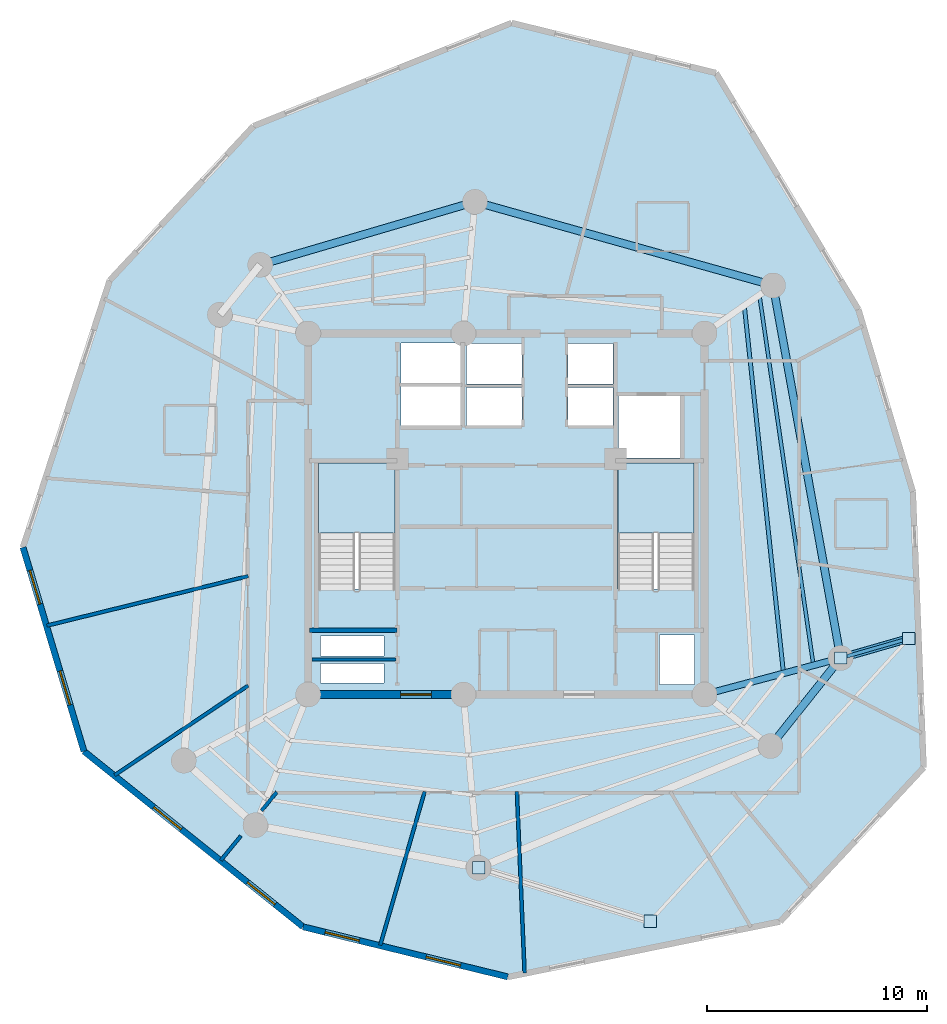
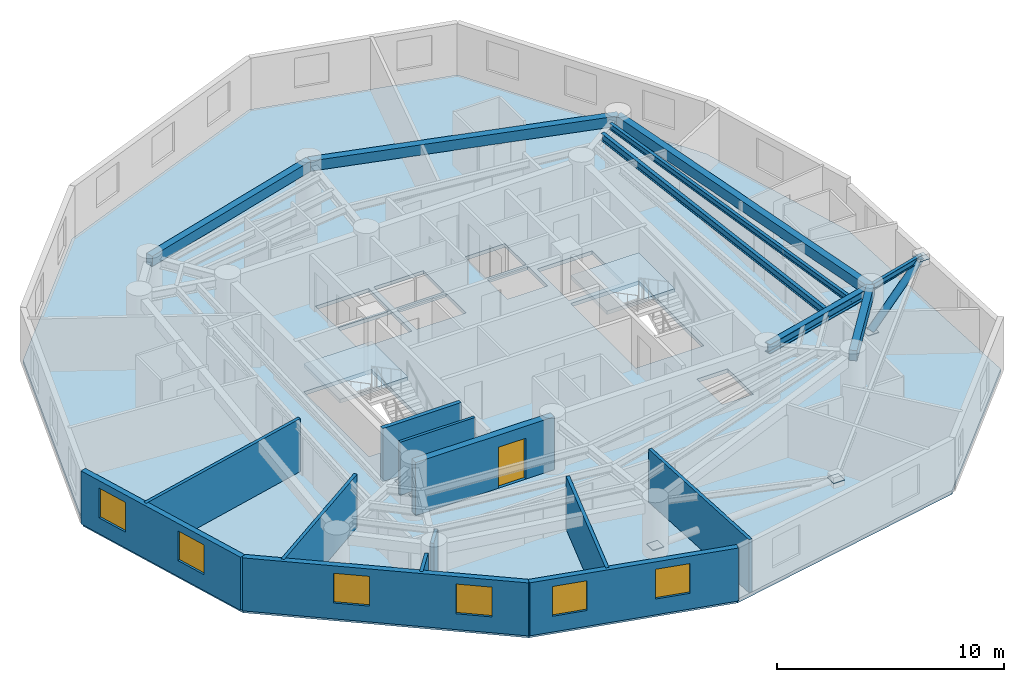
# One storey, part 2 of 7: 12 walls, 8 beams, 6 windows, 4 plates, 3 slabs, 1 door, 1 member, 7 openings, 2 elements without a shape of their own.
"""IFC4 building model written with IfcOpenShell, lengths in metres."""

from ifc_helpers import new_model, si_unit, direction, frame, frame_2d, origin, origin_with_axes, origin_2d, place, context, subcontext, project, spatial, polyline, rectangle, hollow_circle, i_section, outline, extrude, source, transform, mapped, material, layer, layer_set, material_profile, profile_set, type_object, element, fill, aggregate, save


model = new_model("IFC4")

# Units and contexts
model_context = context("Model", 3, precision=1e-05, world=origin(), true_north=direction((0.0, 1.0)))
body_context = subcontext(model_context, "Body", "Model", "MODEL_VIEW")
ifc_project = project(units=[si_unit("LENGTHUNIT", "METRE"), si_unit("AREAUNIT", "SQUARE_METRE"), si_unit("VOLUMEUNIT", "CUBIC_METRE"), si_unit("PLANEANGLEUNIT", "RADIAN"), si_unit("MASSUNIT", "GRAM", prefix="KILO")], contexts=[model_context])

# Site, building, storey
site_placement = place(None, origin())
site = spatial("IfcSite", under=ifc_project, at=site_placement, CompositionType="ELEMENT")
building_placement = place(site_placement, origin())
building = spatial("IfcBuilding", under=site, at=building_placement, Name="Karkom Vertical University and Central Library", CompositionType="ELEMENT")
storey_placement = place(building_placement, frame((0.0, 0.0, 229.10009765625)))
storey = spatial("IfcBuildingStorey", under=building, at=storey_placement, Name="L67", CompositionType="ELEMENT", Elevation=229.10009765625)

# Beams
ifc_material_1 = material(Name="Precast concrete C45/55", Category="concrete")
ifc_material_profile_1 = material_profile(ifc_material_1, rectangle(XDim=0.35009765625, YDim=0.550048828125, at=origin_2d()), Name="SPB-350x550")
ifc_profile_set_1 = profile_set([ifc_material_profile_1], Name="Precast concrete C45/55")
beam_type_1 = type_object("IfcBeamType", Name="STR-BM-SP-2", PredefinedType="SPANDREL", material=ifc_profile_set_1)
shared_shape_1 = source(origin_with_axes(), body_context, "Body", "SweptSolid", [
    extrude(rectangle(XDim=0.35009765625, YDim=0.550048828125, at=origin_2d()), origin(), (0.0, 0.0, 1.0), 17.19970703125),
])
beam_1_placement = place(storey_placement, frame((43.681884765625, 19.9560546875, 2.574951171875), z_axis=(-0.178423249727, 0.983953832228, 0.0), x_axis=(-0.983953832228, -0.178423249727, 0.0)))
element("IfcBeam", 1, at=beam_1_placement, inside=storey, type_object=beam_type_1, Name="Level 67 Perimeter Spandrel Beam 01", PredefinedType="SPANDREL", context=body_context, shape_type="MappedRepresentation", body=[
    mapped(shared_shape_1, transform((0.0, 0.0, 0.0), scale=1.0)),
])
shared_shape_2 = source(origin_with_axes(), body_context, "Body", "SweptSolid", [
    extrude(rectangle(XDim=0.35009765625, YDim=0.550048828125, at=origin_2d()), origin(), (0.0, 0.0, 1.0), 14.0625),
])
beam_2_placement = place(storey_placement, frame((40.613037109375, 36.8798828125, 2.574951171875), z_axis=(-0.962854853531, 0.270019501207, 0.0), x_axis=(-0.270019501207, -0.962854853531, 0.0)))
element("IfcBeam", 2, at=beam_2_placement, inside=storey, type_object=beam_type_1, Name="Level 67 Perimeter Spandrel Beam 02", PredefinedType="SPANDREL", context=body_context, shape_type="MappedRepresentation", body=[
    mapped(shared_shape_2, transform((0.0, 0.0, 0.0), scale=1.0)),
])
shared_shape_3 = source(origin_with_axes(), body_context, "Body", "SweptSolid", [
    extrude(rectangle(XDim=0.35009765625, YDim=0.550048828125, at=origin_2d()), origin(), (0.0, 0.0, 1.0), 10.164794921875),
])
beam_3_placement = place(storey_placement, frame((27.072998046875, 40.677001953125, 2.574951171875), z_axis=(-0.959485124536, -0.281759286971, 0.0), x_axis=(0.281759286971, -0.959485124536, 0.0)))
element("IfcBeam", 3, at=beam_3_placement, inside=storey, type_object=beam_type_1, Name="Level 67 Perimeter Spandrel Beam 03", PredefinedType="SPANDREL", context=body_context, shape_type="MappedRepresentation", body=[
    mapped(shared_shape_3, transform((0.0, 0.0, 0.0), scale=1.0)),
])
shared_shape_4 = source(origin_with_axes(), body_context, "Body", "SweptSolid", [
    extrude(rectangle(XDim=0.35009765625, YDim=0.550048828125, at=origin_2d()), origin(), (0.0, 0.0, 1.0), 5.112060546875),
])
beam_4_placement = place(storey_placement, frame((40.493896484375, 15.9599609375, 2.574951171875), z_axis=(0.623634459503, 0.78171609995, 0.0), x_axis=(-0.78171609995, 0.623634459503, 0.0)))
element("IfcBeam", 4, at=beam_4_placement, inside=storey, type_object=beam_type_1, Name="Level 67 Perimeter Spandrel Beam 09", PredefinedType="SPANDREL", context=body_context, shape_type="MappedRepresentation", body=[
    mapped(shared_shape_4, transform((0.0, 0.0, 0.0), scale=1.0)),
])
ifc_material_2 = material(Name="Steel S355", Category="steel")
ifc_material_profile_2 = material_profile(ifc_material_2, i_section(OverallWidth=0.179931640625, OverallDepth=0.39990234375, WebThickness=0.008544921875, FlangeThickness=0.013427734375, FilletRadius=0.02099609375, at=origin_2d()), Name="IPE 400")
ifc_profile_set_2 = profile_set([ifc_material_profile_2], Name="Steel S355")
beam_type_2 = type_object("IfcBeamType", Name="STR-BM-SB-IPE400", PredefinedType="BEAM", material=ifc_profile_set_2)
shared_shape_5 = source(origin_with_axes(), body_context, "Body", "SweptSolid", [
    extrude(i_section(OverallWidth=0.179931640625, OverallDepth=0.39990234375, WebThickness=0.008544921875, FlangeThickness=0.013427734375, FilletRadius=0.02099609375, at=origin_2d()), origin(), (0.0, 0.0, 1.0), 16.79833984375),
])
beam_5_placement = place(storey_placement, frame((41.085693359375, 19.260498046875, 2.64990234375), z_axis=(-0.105978377704, 0.994368434464, 0.0), x_axis=(-0.994368434464, -0.105978377704, 0.0)))
element("IfcBeam", 5, at=beam_5_placement, inside=storey, type_object=beam_type_2, Name="Level 67 Secondary Composite Floor Beam 2.01", PredefinedType="BEAM", context=body_context, shape_type="MappedRepresentation", body=[
    mapped(shared_shape_5, transform((0.0, 0.0, 0.0), scale=1.0)),
])
ifc_material_profile_3 = material_profile(ifc_material_2, i_section(OverallWidth=0.159912109375, OverallDepth=0.330078125, WebThickness=0.007568359375, FlangeThickness=0.011474609375, FilletRadius=0.01806640625, at=origin_2d()), Name="IPE 330")
ifc_profile_set_3 = profile_set([ifc_material_profile_3], Name="Steel S355")
beam_type_3 = type_object("IfcBeamType", Name="STR-BM-SB-IPE330", PredefinedType="BEAM", material=ifc_profile_set_3)
shared_shape_6 = source(origin_with_axes(), body_context, "Body", "SweptSolid", [
    extrude(i_section(OverallWidth=0.159912109375, OverallDepth=0.330078125, WebThickness=0.007568359375, FlangeThickness=0.011474609375, FilletRadius=0.01806640625, at=origin_2d()), origin(), (0.0, 0.0, 1.0), 16.99755859375),
])
beam_6_placement = place(storey_placement, frame((42.445556640625, 19.624755859375, 2.684814453125), z_axis=(-0.144436985275, 0.98951400055, 0.0), x_axis=(-0.98951400055, -0.144436985275, 0.0)))
element("IfcBeam", 6, at=beam_6_placement, inside=storey, type_object=beam_type_3, Name="Level 67 Secondary Composite Floor Beam 3.01", PredefinedType="BEAM", context=body_context, shape_type="MappedRepresentation", body=[
    mapped(shared_shape_6, transform((0.0, 0.0, 0.0), scale=1.0)),
])
ifc_material_profile_4 = material_profile(ifc_material_2, i_section(OverallWidth=0.300048828125, OverallDepth=0.5, WebThickness=0.014404296875, FlangeThickness=0.028076171875, FilletRadius=0.027099609375, at=origin_2d()), Name="HE 500 B")
ifc_profile_set_4 = profile_set([ifc_material_profile_4], Name="Steel S355")
beam_type_4 = type_object("IfcBeamType", Name="STR-BM-SB-HE500", PredefinedType="USERDEFINED", material=ifc_profile_set_4)
shared_shape_7 = source(origin_with_axes(), body_context, "Body", "SweptSolid", [
    extrude(i_section(OverallWidth=0.300048828125, OverallDepth=0.5, WebThickness=0.014404296875, FlangeThickness=0.028076171875, FilletRadius=0.027099609375, at=origin_2d()), origin(), (0.0, 0.0, 1.0), 6.39990234375),
])
beam_7_placement = place(storey_placement, frame((37.5, 18.300048828125, 2.599853515625), z_axis=(0.965942432948, 0.258757060254, 0.0), x_axis=(-0.258757060254, 0.965942432948, 0.0)))
element("IfcBeam", 7, at=beam_7_placement, inside=storey, type_object=beam_type_4, Name="Level 67 Radial Frame Girder 01", ObjectType="GIRDER", PredefinedType="USERDEFINED", context=body_context, shape_type="MappedRepresentation", body=[
    mapped(shared_shape_7, transform((0.0, 0.0, 0.0), scale=1.0)),
])
shared_shape_8 = source(origin_with_axes(), body_context, "Body", "SweptSolid", [
    extrude(i_section(OverallWidth=0.159912109375, OverallDepth=0.330078125, WebThickness=0.007568359375, FlangeThickness=0.011474609375, FilletRadius=0.01806640625, at=origin_2d()), origin(), (0.0, 0.0, 1.0), 3.215576171875),
])
beam_8_placement = place(storey_placement, frame((43.681884765625, 19.9560546875, 2.684814453125), z_axis=(0.960919963505, 0.276826342204, 0.0), x_axis=(-0.276826342204, 0.960919963505, 0.0)))
element("IfcBeam", 8, at=beam_8_placement, inside=storey, type_object=beam_type_3, Name="Level 67 Sky Garden Outrigger Support Beam 2", PredefinedType="BEAM", context=body_context, shape_type="MappedRepresentation", body=[
    mapped(shared_shape_8, transform((0.0, 0.0, 0.0), scale=1.0)),
])

# Member
ifc_material_profile_5 = material_profile(ifc_material_2, hollow_circle(Radius=0.177734375, WallThickness=0.01611328125, at=origin_2d()), Name="CHS 355.6x16")
ifc_profile_set_5 = profile_set([ifc_material_profile_5], Name="Steel S355")
member_type = type_object("IfcMemberType", Name="STR-MEM-BR-3", PredefinedType="BRACE", material=ifc_profile_set_5)
shared_shape_9 = source(origin_with_axes(), body_context, "Body", "SweptSolid", [
    extrude(hollow_circle(Radius=0.177734375, WallThickness=0.01611328125, at=origin_2d()), origin(), (0.0, 0.0, 1.0), 3.973876953125),
])
member_placement = place(storey_placement, frame((43.681884765625, 19.9560546875, 0.349853515625), z_axis=(0.777543232817, 0.223998311224, 0.587580869047), x_axis=(-0.276826342204, 0.960919963505, 0.0)))
element("IfcMember", 9, at=member_placement, inside=storey, type_object=member_type, Name="Level 67 Sky Garden Knee Strut Brace 2", PredefinedType="BRACE", context=body_context, shape_type="MappedRepresentation", body=[
    mapped(shared_shape_9, transform((0.0, 0.0, 0.0), scale=1.0)),
])

# Stair, slab
ifc_material_3 = material(Name="Concrete C45/55", Category="concrete")
stair_type = type_object("IfcStairType", Name="INT-STR-ST-MAIN", PredefinedType="HALF_TURN_STAIR", material=ifc_material_3)
stair_1_placement = place(storey_placement, origin())
stair_1 = element("IfcStair", 10, at=stair_1_placement, inside=storey, type_object=stair_type, Name="Level 67 Tower Protected Exit Stair ST-1", PredefinedType="HALF_TURN_STAIR")
ifc_layer_1 = layer(ifc_material_3, 0.199951171875)
ifc_layer_set_1 = layer_set([ifc_layer_1], Name="Concrete C45/55")
slab_type_1 = type_object("IfcSlabType", Name="INT-SLB-LANDING", PredefinedType="LANDING", material=ifc_layer_set_1)
slab_1_placement = place(storey_placement, frame((0.0, 0.0, 1.324951171875)))
slab_1 = element("IfcSlab", 11, at=slab_1_placement, type_object=slab_type_1, Name="ST-1 landing 1", PredefinedType="LANDING", context=body_context, shape_type="SweptSolid", body=[
    extrude(outline(polyline([(23.43994140625, 25.6298828125), (23.43994140625, 28.820068359375), (19.97998046875, 28.820068359375), (19.97998046875, 25.6298828125), (23.43994140625, 25.6298828125)])), origin(), (0.0, 0.0, 1.0), 0.199951171875),
])
aggregate(stair_1, [slab_1])

stair_2_placement = place(storey_placement, origin())
stair_2 = element("IfcStair", 12, at=stair_2_placement, inside=storey, type_object=stair_type, Name="Level 67 Tower Protected Exit Stair ST-2", PredefinedType="HALF_TURN_STAIR")
slab_2_placement = place(storey_placement, frame((0.0, 0.0, 1.324951171875)))
slab_2 = element("IfcSlab", 13, at=slab_2_placement, type_object=slab_type_1, Name="ST-2 landing 1", PredefinedType="LANDING", context=body_context, shape_type="SweptSolid", body=[
    extrude(outline(polyline([(37.02001953125, 25.6298828125), (37.02001953125, 28.820068359375), (33.56005859375, 28.820068359375), (33.56005859375, 25.6298828125), (37.02001953125, 25.6298828125)])), origin(), (0.0, 0.0, 1.0), 0.199951171875),
])
aggregate(stair_2, [slab_2])

# Slab
ifc_material_4 = material(Name="Concrete C40/50", Category="concrete")
ifc_layer_2 = layer(ifc_material_4, 0.199951171875)
ifc_layer_set_2 = layer_set([ifc_layer_2], Name="Concrete C40/50")
slab_type_2 = type_object("IfcSlabType", Name="STR-SLB-FLR-200", PredefinedType="FLOOR", material=ifc_layer_set_2)
slab_3_placement = place(storey_placement, frame((0.0, 0.0, -0.2001953125)))
element("IfcSlab", 14, at=slab_3_placement, inside=storey, type_object=slab_type_2, Name="Level 67 Tower Structural Floor Slab", PredefinedType="FLOOR", context=body_context, shape_type="SweptSolid", body=[
    extrude(outline(polyline([(6.54736328125, 24.98291015625), (9.31494140625, 15.72216796875), (19.26416015625, 7.74853515625), (28.56591796875, 5.473876953125), (40.933349609375, 7.990478515625), (47.447509765625, 14.981201171875), (46.958251953125, 27.51318359375), (44.487060546875, 35.781494140625), (38.019287109375, 46.52685546875), (28.7373046875, 48.796630859375), (17.017578125, 44.114013671875), (10.4892578125, 37.108154296875), (6.54736328125, 24.98291015625)]), holes=[polyline([(19.97998046875, 23.0849609375), (23.43994140625, 23.0849609375), (23.43994140625, 28.820068359375), (19.97998046875, 28.820068359375), (19.97998046875, 23.0849609375)]), polyline([(33.56005859375, 23.0849609375), (37.02001953125, 23.0849609375), (37.02001953125, 28.820068359375), (33.56005859375, 28.820068359375), (33.56005859375, 23.0849609375)]), polyline([(26.679931640625, 30.5), (29.199951171875, 30.5), (29.199951171875, 32.25), (26.679931640625, 32.25), (26.679931640625, 30.5)]), polyline([(26.679931640625, 32.39990234375), (29.199951171875, 32.39990234375), (29.199951171875, 34.25), (26.679931640625, 34.25), (26.679931640625, 32.39990234375)]), polyline([(31.300048828125, 30.5), (33.35009765625, 30.5), (33.35009765625, 32.25), (31.300048828125, 32.25), (31.300048828125, 30.5)]), polyline([(31.300048828125, 32.39990234375), (33.35009765625, 32.39990234375), (33.35009765625, 34.25), (31.300048828125, 34.25), (31.300048828125, 32.39990234375)]), polyline([(23.719970703125, 30.47998046875), (26.429931640625, 30.47998046875), (26.429931640625, 32.320068359375), (23.719970703125, 32.320068359375), (23.719970703125, 30.47998046875)]), polyline([(23.719970703125, 32.419921875), (26.429931640625, 32.419921875), (26.429931640625, 34.260009765625), (23.719970703125, 34.260009765625), (23.719970703125, 32.419921875)]), polyline([(33.60009765625, 29.050048828125), (36.39990234375, 29.050048828125), (36.39990234375, 31.85009765625), (33.60009765625, 31.85009765625), (33.60009765625, 29.050048828125)]), polyline([(20.050048828125, 18.820068359375), (22.949951171875, 18.820068359375), (22.949951171875, 19.719970703125), (20.050048828125, 19.719970703125), (20.050048828125, 18.820068359375)]), polyline([(20.050048828125, 20.06005859375), (22.949951171875, 20.06005859375), (22.949951171875, 20.9599609375), (20.050048828125, 20.9599609375), (20.050048828125, 20.06005859375)]), polyline([(35.4599609375, 18.760009765625), (37.0400390625, 18.760009765625), (37.0400390625, 21.010009765625), (35.4599609375, 21.010009765625), (35.4599609375, 18.760009765625)])]), origin(), (0.0, 0.0, 1.0), 0.2001953125),
])

# Plates
ifc_layer_3 = layer(ifc_material_2, 0.028076171875)
ifc_layer_set_3 = layer_set([ifc_layer_3], Name="Steel S355")
plate_type = type_object("IfcPlateType", Name="STR-PLT-GP-2", PredefinedType="USERDEFINED", material=ifc_layer_set_3)
shared_shape_10 = source(origin_with_axes(), body_context, "Body", "SweptSolid", [
    extrude(rectangle(XDim=0.56005859375, YDim=0.56005859375, at=origin_2d()), origin(), (0.0, 0.0, 1.0), 0.028076171875),
])
for number, where, z_axis, x_axis, name in (
    (15, (27.239013671875, 10.429931640625, 0.3359375), (0.0, 0.0, 1.0), (1.0, 0.0, 0.0), "Level 67 Node Gusset Cap Plate L67-SKG-KNEE-1 A"),
    (16, (35.031005859375, 8.007080078125, 2.6708984375), (0.0, 0.0, 1.0), (1.0, 0.0, 0.0), "Level 67 Node Gusset Cap Plate L67-SKG-KNEE-1 B"),
    (17, (43.681884765625, 19.9560546875, 0.3359375), (0.0, 0.0, 1.0), (1.0, 0.0, 0.0), "Level 67 Node Gusset Cap Plate L67-SKG-KNEE-2 A"),
    (18, (46.771728515625, 20.84619140625, 2.6708984375), (0.0, 0.0, 1.0), (1.0, 0.0, 0.0), "Level 67 Node Gusset Cap Plate L67-SKG-KNEE-2 B"),
):
    element("IfcPlate", number, at=place(storey_placement, frame(where, z_axis=z_axis, x_axis=x_axis)), inside=storey, type_object=plate_type, Name=name, ObjectType="GUSSET PLATE", PredefinedType="USERDEFINED", context=body_context, shape_type="MappedRepresentation", body=[
        mapped(shared_shape_10, transform((0.0, 0.0, 0.0), scale=1.0)),
    ])

# Wall, openings, windows
ifc_material_5 = material(Name="Brick-faced precast concrete C45/55", Category="masonry")
ifc_layer_4 = layer(ifc_material_5, 0.280029296875)
ifc_layer_set_4 = layer_set([ifc_layer_4], Name="Brick-faced precast concrete C45/55")
wall_type_1 = type_object("IfcWallType", Name="ENV-WL-BRK-280", PredefinedType="SOLIDWALL", material=ifc_layer_set_4)
wall_1_placement = place(storey_placement, frame((6.54736328125, 24.98291015625, 0.0), z_axis=(0.0, 0.0, 1.0), x_axis=(0.286337360981, -0.958128861744, 0.0)))
wall_1 = element("IfcWall", 19, at=wall_1_placement, inside=storey, type_object=wall_type_1, Name="Level 67 Brick-Faced Precast Facade Wall 01", PredefinedType="SOLIDWALL", context=body_context, shape_type="SweptSolid", body=[
    extrude(rectangle(XDim=9.66552734375, YDim=0.280029296875, at=frame_2d((4.832763671875, 0.0))), origin(), (0.0, 0.0, 1.0), 2.849853515625),
])
opening_1_placement = place(wall_1_placement, frame((1.088623046875, 0.0, 0.85009765625)))
opening_1 = element("IfcOpeningElement", 20, at=opening_1_placement, cuts=wall_1, Name="Opening WN-10", PredefinedType="OPENING", context=body_context, shape_type="SweptSolid", body=[
    extrude(rectangle(XDim=1.60009765625, YDim=1.60009765625, at=frame_2d((0.800048828125, 0.800048828125))), frame((0.0, 0.14990234375, 0.0), z_axis=(0.0, -1.0, 0.0), x_axis=(1.0, 0.0, 0.0)), (0.0, 0.0, 1.0), 0.300048828125),
])
opening_2_placement = place(wall_1_placement, frame((5.861328125, 0.0, 0.85009765625)))
opening_2 = element("IfcOpeningElement", 21, at=opening_2_placement, cuts=wall_1, Name="Opening WN-10", PredefinedType="OPENING", context=body_context, shape_type="SweptSolid", body=[
    extrude(rectangle(XDim=1.60009765625, YDim=1.60009765625, at=frame_2d((0.800048828125, 0.800048828125))), frame((0.0, 0.14990234375, 0.0), z_axis=(0.0, -1.0, 0.0), x_axis=(1.0, 0.0, 0.0)), (0.0, 0.0, 1.0), 0.300048828125),
])
ifc_material_6 = material(Name="Aluminium thermal-break frame with solar-control IGU", Category="aluminium")
window_type = type_object("IfcWindowType", Name="ENV-WIN-WN-10", PartitioningType="SINGLE_PANEL", PredefinedType="WINDOW", material=ifc_material_6)
shared_shape_11 = source(origin_with_axes(), body_context, "Body", "SweptSolid", [
    extrude(rectangle(XDim=1.60009765625, YDim=1.60009765625, at=frame_2d((0.800048828125, 0.800048828125))), frame((0.0, 0.030029296875, 0.0), z_axis=(0.0, -1.0, 0.0), x_axis=(1.0, 0.0, 0.0)), (0.0, 0.0, 1.0), 0.06005859375),
])
window_1_placement = place(opening_1_placement, origin())
window_1 = element("IfcWindow", 22, at=window_1_placement, inside=storey, type_object=window_type, Name="Level 67 Punched Window 1.1", OverallHeight=1.60009765625, OverallWidth=1.60009765625, PartitioningType="SINGLE_PANEL", PredefinedType="WINDOW", context=body_context, shape_type="MappedRepresentation", body=[
    mapped(shared_shape_11, transform((0.0, 0.0, 0.0), scale=1.0)),
])
fill(opening_1, window_1)
window_2_placement = place(opening_2_placement, origin())
window_2 = element("IfcWindow", 23, at=window_2_placement, inside=storey, type_object=window_type, Name="Level 67 Punched Window 1.2", OverallHeight=1.60009765625, OverallWidth=1.60009765625, PartitioningType="SINGLE_PANEL", PredefinedType="WINDOW", context=body_context, shape_type="MappedRepresentation", body=[
    mapped(shared_shape_11, transform((0.0, 0.0, 0.0), scale=1.0)),
])
fill(opening_2, window_2)

wall_2_placement = place(storey_placement, frame((9.31494140625, 15.72216796875, 0.0), z_axis=(0.0, 0.0, 1.0), x_axis=(0.780323024647, -0.625376668261, 0.0)))
wall_2 = element("IfcWall", 24, at=wall_2_placement, inside=storey, type_object=wall_type_1, Name="Level 67 Brick-Faced Precast Facade Wall 02", PredefinedType="SOLIDWALL", context=body_context, shape_type="SweptSolid", body=[
    extrude(rectangle(XDim=12.750244140625, YDim=0.280029296875, at=frame_2d((6.375, 0.0))), origin(), (0.0, 0.0, 1.0), 2.849853515625),
])
opening_3_placement = place(wall_2_placement, frame((4.06396484375, 0.0, 0.85009765625)))
opening_3 = element("IfcOpeningElement", 25, at=opening_3_placement, cuts=wall_2, Name="Opening WN-10", PredefinedType="OPENING", context=body_context, shape_type="SweptSolid", body=[
    extrude(rectangle(XDim=1.60009765625, YDim=1.60009765625, at=frame_2d((0.800048828125, 0.800048828125))), frame((0.0, 0.14990234375, 0.0), z_axis=(0.0, -1.0, 0.0), x_axis=(1.0, 0.0, 0.0)), (0.0, 0.0, 1.0), 0.300048828125),
])
opening_4_placement = place(wall_2_placement, frame((9.519775390625, 0.0, 0.85009765625)))
opening_4 = element("IfcOpeningElement", 26, at=opening_4_placement, cuts=wall_2, Name="Opening WN-10", PredefinedType="OPENING", context=body_context, shape_type="SweptSolid", body=[
    extrude(rectangle(XDim=1.60009765625, YDim=1.60009765625, at=frame_2d((0.800048828125, 0.800048828125))), frame((0.0, 0.14990234375, 0.0), z_axis=(0.0, -1.0, 0.0), x_axis=(1.0, 0.0, 0.0)), (0.0, 0.0, 1.0), 0.300048828125),
])
window_3_placement = place(opening_3_placement, origin())
window_3 = element("IfcWindow", 27, at=window_3_placement, inside=storey, type_object=window_type, Name="Level 67 Punched Window 2.1", OverallHeight=1.60009765625, OverallWidth=1.60009765625, PartitioningType="SINGLE_PANEL", PredefinedType="WINDOW", context=body_context, shape_type="MappedRepresentation", body=[
    mapped(shared_shape_11, transform((0.0, 0.0, 0.0), scale=1.0)),
])
fill(opening_3, window_3)
window_4_placement = place(opening_4_placement, origin())
window_4 = element("IfcWindow", 28, at=window_4_placement, inside=storey, type_object=window_type, Name="Level 67 Punched Window 2.2", OverallHeight=1.60009765625, OverallWidth=1.60009765625, PartitioningType="SINGLE_PANEL", PredefinedType="WINDOW", context=body_context, shape_type="MappedRepresentation", body=[
    mapped(shared_shape_11, transform((0.0, 0.0, 0.0), scale=1.0)),
])
fill(opening_4, window_4)

wall_3_placement = place(storey_placement, frame((19.26416015625, 7.74853515625, 0.0), z_axis=(0.0, 0.0, 1.0), x_axis=(0.971377439453, -0.237541301926, 0.0)))
wall_3 = element("IfcWall", 29, at=wall_3_placement, inside=storey, type_object=wall_type_1, Name="Level 67 Brick-Faced Precast Facade Wall 03", PredefinedType="SOLIDWALL", context=body_context, shape_type="SweptSolid", body=[
    extrude(rectangle(XDim=9.575927734375, YDim=0.280029296875, at=frame_2d((4.7880859375, 0.0))), origin(), (0.0, 0.0, 1.0), 2.849853515625),
])
opening_5_placement = place(wall_3_placement, frame((1.033447265625, 0.0, 0.85009765625)))
opening_5 = element("IfcOpeningElement", 30, at=opening_5_placement, cuts=wall_3, Name="Opening WN-10", PredefinedType="OPENING", context=body_context, shape_type="SweptSolid", body=[
    extrude(rectangle(XDim=1.60009765625, YDim=1.60009765625, at=frame_2d((0.800048828125, 0.800048828125))), frame((0.0, 0.14990234375, 0.0), z_axis=(0.0, -1.0, 0.0), x_axis=(1.0, 0.0, 0.0)), (0.0, 0.0, 1.0), 0.300048828125),
])
opening_6_placement = place(wall_3_placement, frame((5.761474609375, 0.0, 0.85009765625)))
opening_6 = element("IfcOpeningElement", 31, at=opening_6_placement, cuts=wall_3, Name="Opening WN-10", PredefinedType="OPENING", context=body_context, shape_type="SweptSolid", body=[
    extrude(rectangle(XDim=1.60009765625, YDim=1.60009765625, at=frame_2d((0.800048828125, 0.800048828125))), frame((0.0, 0.14990234375, 0.0), z_axis=(0.0, -1.0, 0.0), x_axis=(1.0, 0.0, 0.0)), (0.0, 0.0, 1.0), 0.300048828125),
])
window_5_placement = place(opening_5_placement, origin())
window_5 = element("IfcWindow", 32, at=window_5_placement, inside=storey, type_object=window_type, Name="Level 67 Punched Window 3.1", OverallHeight=1.60009765625, OverallWidth=1.60009765625, PartitioningType="SINGLE_PANEL", PredefinedType="WINDOW", context=body_context, shape_type="MappedRepresentation", body=[
    mapped(shared_shape_11, transform((0.0, 0.0, 0.0), scale=1.0)),
])
fill(opening_5, window_5)
window_6_placement = place(opening_6_placement, origin())
window_6 = element("IfcWindow", 33, at=window_6_placement, inside=storey, type_object=window_type, Name="Level 67 Punched Window 3.2", OverallHeight=1.60009765625, OverallWidth=1.60009765625, PartitioningType="SINGLE_PANEL", PredefinedType="WINDOW", context=body_context, shape_type="MappedRepresentation", body=[
    mapped(shared_shape_11, transform((0.0, 0.0, 0.0), scale=1.0)),
])
fill(opening_6, window_6)

# Walls
ifc_material_7 = material(Name="Insulated metal-stud drywall 160mm", Category="gypsum")
ifc_layer_5 = layer(ifc_material_7, 0.159912109375)
ifc_layer_set_5 = layer_set([ifc_layer_5], Name="Insulated metal-stud drywall 160mm")
wall_type_2 = type_object("IfcWallType", Name="INT-WL-COR-160", PredefinedType="PARTITIONING", material=ifc_layer_set_5)
wall_4_placement = place(storey_placement, frame((16.779052734375, 23.678955078125, 0.0), z_axis=(0.0, 0.0, 1.0), x_axis=(-0.971058189076, -0.238843030939, 0.0)))
element("IfcWall", 34, at=wall_4_placement, inside=storey, type_object=wall_type_2, Name="Level 67 Interior Partition Wall L67-PW-001", PredefinedType="PARTITIONING", context=body_context, shape_type="SweptSolid", body=[
    extrude(rectangle(XDim=9.416259765625, YDim=0.159912109375, at=frame_2d((4.7080078125, 0.0))), origin(), (0.0, 0.0, 1.0), 2.849853515625),
])
wall_5_placement = place(storey_placement, frame((28.97705078125, 13.89501953125, 0.0), z_axis=(0.0, 0.0, 1.0), x_axis=(0.042568785429, -0.999093538417, 0.0)))
element("IfcWall", 35, at=wall_5_placement, inside=storey, type_object=wall_type_2, Name="Level 67 Interior Partition Wall L67-PW-007", PredefinedType="PARTITIONING", context=body_context, shape_type="SweptSolid", body=[
    extrude(rectangle(XDim=8.247314453125, YDim=0.159912109375, at=frame_2d((4.12353515625, 0.0))), origin(), (0.0, 0.0, 1.0), 2.849853515625),
])
wall_6_placement = place(storey_placement, frame((16.77490234375, 18.705810546875, 0.0), z_axis=(0.0, 0.0, 1.0), x_axis=(-0.83041585453, -0.557144064444, 0.0)))
element("IfcWall", 36, at=wall_6_placement, inside=storey, type_object=wall_type_2, Name="Level 67 Interior Partition Wall L67-PW-003", PredefinedType="PARTITIONING", context=body_context, shape_type="SweptSolid", body=[
    extrude(rectangle(XDim=7.30078125, YDim=0.159912109375, at=frame_2d((3.650390625, 0.0))), origin(), (0.0, 0.0, 1.0), 2.849853515625),
])
wall_7_placement = place(storey_placement, frame((24.790771484375, 13.893310546875, 0.0), z_axis=(0.0, 0.0, 1.0), x_axis=(-0.277894014805, -0.960611740786, 0.0)))
element("IfcWall", 37, at=wall_7_placement, inside=storey, type_object=wall_type_2, Name="Level 67 Interior Partition Wall L67-PW-006", PredefinedType="PARTITIONING", context=body_context, shape_type="SweptSolid", body=[
    extrude(rectangle(XDim=7.262939453125, YDim=0.159912109375, at=frame_2d((3.63134765625, 0.0))), origin(), (0.0, 0.0, 1.0), 2.849853515625),
])
wall_8_placement = place(storey_placement, frame((16.443115234375, 11.880615234375, 0.0), z_axis=(0.0, 0.0, 1.0), x_axis=(-0.633821197462, -0.773479598728, 0.0)))
element("IfcWall", 38, at=wall_8_placement, inside=storey, type_object=wall_type_2, Name="Level 67 Interior Partition Wall L67-PW-005", PredefinedType="PARTITIONING", context=body_context, shape_type="SweptSolid", body=[
    extrude(rectangle(XDim=1.435302734375, YDim=0.159912109375, at=frame_2d((0.7177734375, 0.0))), origin(), (0.0, 0.0, 1.0), 2.849853515625),
])
wall_9_placement = place(storey_placement, frame((18.07568359375, 13.873291015625, 0.0), z_axis=(0.0, 0.0, 1.0), x_axis=(-0.633650360899, -0.773619557749, 0.0)))
element("IfcWall", 39, at=wall_9_placement, inside=storey, type_object=wall_type_2, Name="Level 67 Interior Partition Wall L67-PW-004", PredefinedType="PARTITIONING", context=body_context, shape_type="SweptSolid", body=[
    extrude(rectangle(XDim=1.095458984375, YDim=0.159912109375, at=frame_2d((0.5478515625, 0.0))), origin(), (0.0, 0.0, 1.0), 2.349853515625),
])
ifc_material_8 = material(Name="Metal-stud gypsum partition 140mm", Category="gypsum")
ifc_layer_6 = layer(ifc_material_8, 0.139892578125)
ifc_layer_set_6 = layer_set([ifc_layer_6], Name="Metal-stud gypsum partition 140mm")
wall_type_3 = type_object("IfcWallType", Name="INT-WL-SUB-140H", PredefinedType="PARTITIONING", material=ifc_layer_set_6)
wall_10_placement = place(storey_placement, frame((19.681884765625, 19.889892578125, 0.0), z_axis=(0.0, 0.0, 1.0), x_axis=(1.0, 0.0, 0.0)))
element("IfcWall", 40, at=wall_10_placement, inside=storey, type_object=wall_type_3, Name="Level 67 Interior Partition Wall L67-CW-RIS-W", PredefinedType="PARTITIONING", context=body_context, shape_type="SweptSolid", body=[
    extrude(rectangle(XDim=3.8154296875, YDim=0.139892578125, at=frame_2d((1.90771484375, 0.0))), origin(), (0.0, 0.0, 1.0), 2.849853515625),
])

# Wall, opening, door
ifc_layer_7 = layer(ifc_material_3, 0.35009765625)
ifc_layer_set_7 = layer_set([ifc_layer_7], Name="Concrete C45/55")
wall_type_4 = type_object("IfcWallType", Name="STR-WL-CW-350", PredefinedType="SHEAR", material=ifc_layer_set_7)
wall_11_placement = place(storey_placement, frame((19.5, 18.300048828125, 0.0), z_axis=(0.0, 0.0, 1.0), x_axis=(1.0, 0.0, 0.0)))
wall_11 = element("IfcWall", 41, at=wall_11_placement, inside=storey, type_object=wall_type_4, Name="Level 67 Central Core Shear Wall SW1", PredefinedType="SHEAR", context=body_context, shape_type="SweptSolid", body=[
    extrude(rectangle(XDim=7.050048828125, YDim=0.35009765625, at=frame_2d((3.52490234375, 0.0))), origin(), (0.0, 0.0, 1.0), 2.849853515625),
])
opening_7_placement = place(wall_11_placement, frame((4.199951171875, 0.0, 0.0)))
opening_7 = element("IfcOpeningElement", 42, at=opening_7_placement, cuts=wall_11, Name="Opening FD-CLB", PredefinedType="OPENING", context=body_context, shape_type="SweptSolid", body=[
    extrude(rectangle(XDim=1.39990234375, YDim=2.199951171875, at=frame_2d((0.699951171875, 1.10009765625))), frame((0.0, 0.18505859375, 0.0), z_axis=(0.0, -1.0, 0.0), x_axis=(1.0, 0.0, 0.0)), (0.0, 0.0, 1.0), 0.3701171875),
])
ifc_material_9 = material(Name="Painted steel fire door", Category="steel")
door_type = type_object("IfcDoorType", Name="INT-DR-CLB", OperationType="DOUBLE_DOOR_SINGLE_SWING", PredefinedType="DOOR", material=ifc_material_9)
shared_shape_12 = source(origin_with_axes(), body_context, "Body", "SweptSolid", [
    extrude(rectangle(XDim=1.39990234375, YDim=2.199951171875, at=frame_2d((0.699951171875, 1.10009765625))), frame((0.0, 0.02490234375, 0.0), z_axis=(0.0, -1.0, 0.0), x_axis=(1.0, 0.0, 0.0)), (0.0, 0.0, 1.0), 0.050048828125),
])
door_placement = place(opening_7_placement, origin())
door = element("IfcDoor", 43, at=door_placement, inside=storey, type_object=door_type, Name="Level 67 South Core Lobby West Exit Door", OperationType="DOUBLE_DOOR_SINGLE_SWING", OverallHeight=2.199951171875, OverallWidth=1.39990234375, PredefinedType="DOOR", context=body_context, shape_type="MappedRepresentation", body=[
    mapped(shared_shape_12, transform((0.0, 0.0, 0.0), scale=1.0)),
])
fill(opening_7, door)

# Wall
ifc_layer_8 = layer(ifc_material_3, 0.199951171875)
ifc_layer_set_8 = layer_set([ifc_layer_8], Name="Concrete C45/55")
wall_type_5 = type_object("IfcWallType", Name="STR-WL-ST-200", PredefinedType="SHEAR", material=ifc_layer_set_8)
wall_12_placement = place(storey_placement, frame((19.550048828125, 21.215087890625, 0.0), z_axis=(0.0, 0.0, 1.0), x_axis=(1.0, 0.0, 0.0)))
element("IfcWall", 44, at=wall_12_placement, inside=storey, type_object=wall_type_5, Name="Level 67 Core Shaft Wall L67-CW-ST1-S", PredefinedType="SHEAR", context=body_context, shape_type="SweptSolid", body=[
    extrude(rectangle(XDim=3.994873046875, YDim=0.199951171875, at=frame_2d((1.99755859375, 0.0))), origin(), (0.0, 0.0, 1.0), 2.849853515625),
])

save(model, "model.ifc")
